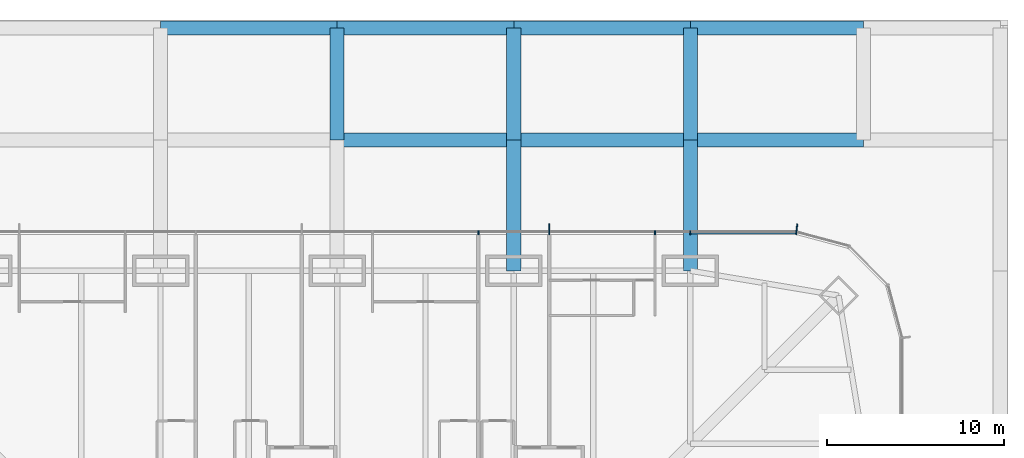
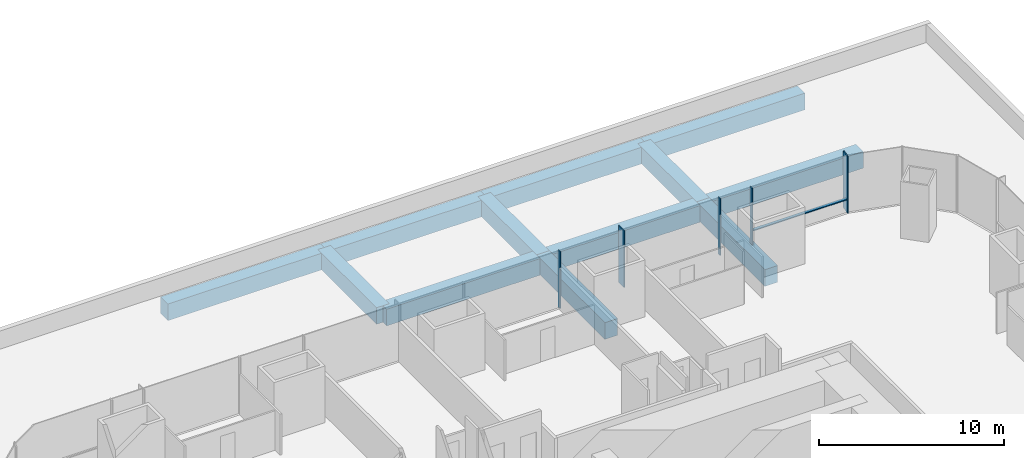
# One storey, part 11 of 20: 12 beams, 6 members, 1 element without a shape of its own.
"""IFC4 building model written with IfcOpenShell, lengths in metres."""

from ifc_helpers import new_model, si_unit, direction, frame, origin, origin_2d, place, context, subcontext, project, spatial, rectangle, extrude, material, material_profile, profile_set, type_object, element, aggregate, save


model = new_model("IFC4")

# Units and contexts
model_context = context("Model", 3, precision=1e-05, world=origin(), true_north=direction((0.0, 1.0)))
body_context = subcontext(model_context, "Body", "Model", "MODEL_VIEW")
ifc_project = project(units=[si_unit("LENGTHUNIT", "METRE"), si_unit("AREAUNIT", "SQUARE_METRE"), si_unit("VOLUMEUNIT", "CUBIC_METRE"), si_unit("PLANEANGLEUNIT", "RADIAN"), si_unit("MASSUNIT", "GRAM", prefix="KILO")], contexts=[model_context])

# Site, building, storey
site_placement = place(None, origin())
site = spatial("IfcSite", under=ifc_project, at=site_placement, CompositionType="ELEMENT")
building_placement = place(site_placement, origin())
building = spatial("IfcBuilding", under=site, at=building_placement, Name="Khuree Lantern Residences", CompositionType="ELEMENT")
storey_placement = place(building_placement, frame((0.0, 0.0, 21.0)))
storey = spatial("IfcBuildingStorey", under=building, at=storey_placement, Name="L04", CompositionType="ELEMENT", Elevation=21.0)

# Curtain wall, members
ifc_material_1 = material(Name="Bronze anodised aluminium", Category="aluminium")
curtain_wall_type = type_object("IfcCurtainWallType", Name="CW-T1 TOWER FACE CURTAIN WALL", PredefinedType="USERDEFINED", material=ifc_material_1)
curtain_wall_placement = place(storey_placement, origin())
curtain_wall = element("IfcCurtainWall", 1, at=curtain_wall_placement, inside=storey, type_object=curtain_wall_type, Name="L04 NORTH FACE CURTAIN WALL", ObjectType="Stick-built curtain wall", PredefinedType="USERDEFINED")
ifc_material_profile_1 = material_profile(ifc_material_1, rectangle(XDim=0.06494140625, YDim=0.60009765625, at=origin_2d()), Name="F1 65X600")
ifc_profile_set_1 = profile_set([ifc_material_profile_1], Name="Bronze anodised aluminium")
member_type_1 = type_object("IfcMemberType", Name="F1 BRONZE FIN MULLION TOWER 65X600", PredefinedType="MULLION", material=ifc_profile_set_1)
member_1_placement = place(storey_placement, frame((26.019775390625, 32.150146484375, 0.0), z_axis=(0.0, 0.0, 1.0), x_axis=(-0.991444852794, 0.130526257387, 0.0)))
member_1 = element("IfcMember", 2, at=member_1_placement, type_object=member_type_1, Name="L04 NORTH FACE FIN MULLION 18", PredefinedType="MULLION", context=body_context, shape_type="SweptSolid", body=[
    extrude(rectangle(XDim=0.06494140625, YDim=0.60009765625, at=origin_2d()), origin(), (0.0, 0.0, 1.0), 3.75),
])
member_2_placement = place(storey_placement, frame((12.0, 32.14990234375, 0.0), z_axis=(0.0, 0.0, 1.0), x_axis=(-1.0, 0.0, 0.0)))
member_2 = element("IfcMember", 3, at=member_2_placement, type_object=member_type_1, Name="L04 NORTH FACE FIN MULLION 21", PredefinedType="MULLION", context=body_context, shape_type="SweptSolid", body=[
    extrude(rectangle(XDim=0.06494140625, YDim=0.60009765625, at=origin_2d()), origin(), (0.0, 0.0, 1.0), 3.75),
])
ifc_material_profile_2 = material_profile(ifc_material_1, rectangle(XDim=0.06494140625, YDim=0.219970703125, at=origin_2d()), Name="M1 65X220")
ifc_profile_set_2 = profile_set([ifc_material_profile_2], Name="Bronze anodised aluminium")
member_type_2 = type_object("IfcMemberType", Name="M1 BRONZE MULLION TOWER 65X220", PredefinedType="MULLION", material=ifc_profile_set_2)
member_3_placement = place(storey_placement, frame((20.0, 31.9599609375, 0.0), z_axis=(0.0, 0.0, 1.0), x_axis=(-1.0, 0.0, 0.0)))
member_3 = element("IfcMember", 4, at=member_3_placement, type_object=member_type_2, Name="L04 NORTH FACE MULLION 19", PredefinedType="MULLION", context=body_context, shape_type="SweptSolid", body=[
    extrude(rectangle(XDim=0.06494140625, YDim=0.219970703125, at=origin_2d()), origin(), (0.0, 0.0, 1.0), 3.75),
])
member_4_placement = place(storey_placement, frame((18.0, 31.9599609375, 0.0), z_axis=(0.0, 0.0, 1.0), x_axis=(-1.0, 0.0, 0.0)))
member_4 = element("IfcMember", 5, at=member_4_placement, type_object=member_type_2, Name="L04 NORTH FACE MULLION 20", PredefinedType="MULLION", context=body_context, shape_type="SweptSolid", body=[
    extrude(rectangle(XDim=0.06494140625, YDim=0.219970703125, at=origin_2d()), origin(), (0.0, 0.0, 1.0), 3.75),
])
member_5_placement = place(storey_placement, frame((8.0, 31.9599609375, 0.0), z_axis=(0.0, 0.0, 1.0), x_axis=(-1.0, 0.0, 0.0)))
member_5 = element("IfcMember", 6, at=member_5_placement, type_object=member_type_2, Name="L04 NORTH FACE MULLION 22", PredefinedType="MULLION", context=body_context, shape_type="SweptSolid", body=[
    extrude(rectangle(XDim=0.06494140625, YDim=0.219970703125, at=origin_2d()), origin(), (0.0, 0.0, 1.0), 3.75),
])

# Beams
ifc_material_2 = material(Name="Concrete C40/50", Category="concrete")
ifc_material_profile_3 = material_profile(ifc_material_2, rectangle(XDim=0.800048828125, YDim=1.10009765625, at=origin_2d()), Name="RC 800X1100")
ifc_profile_set_3 = profile_set([ifc_material_profile_3], Name="Concrete C40/50")
beam_type = type_object("IfcBeamType", Name="RB4 PODIUM ROOF BEAM RC 800X1100", PredefinedType="BEAM", material=ifc_profile_set_3)
for number, where, z_axis, x_axis, name in (
    (7, (0.0, 37.199951171875, -0.800048828125), (1.0, 0.0, 0.0), (0.0, 1.0, 0.0), "Podium roof beam RB-15"),
    (8, (10.0, 37.199951171875, -0.800048828125), (1.0, 0.0, 0.0), (0.0, 1.0, 0.0), "Podium roof beam RB-16"),
):
    element("IfcBeam", number, at=place(storey_placement, frame(where, z_axis=z_axis, x_axis=x_axis)), inside=storey, type_object=beam_type, Name=name, PredefinedType="BEAM", context=body_context, shape_type="SweptSolid", body=[
        extrude(rectangle(XDim=0.800048828125, YDim=1.10009765625, at=origin_2d()), origin(), (0.0, 0.0, 1.0), 10.0),
    ])
beam_1_placement = place(storey_placement, frame((20.0, 37.199951171875, -0.800048828125), z_axis=(1.0, 0.0, 0.0), x_axis=(0.0, 1.0, 0.0)))
element("IfcBeam", 9, at=beam_1_placement, inside=storey, type_object=beam_type, Name="Podium roof beam RB-17", PredefinedType="BEAM", context=body_context, shape_type="SweptSolid", body=[
    extrude(rectangle(XDim=0.800048828125, YDim=1.10009765625, at=origin_2d()), origin(), (0.0, 0.0, 1.0), 9.800048828125),
])
for number, where, z_axis, x_axis, name in (
    (10, (-10.0, 43.550048828125, -0.800048828125), (1.0, 0.0, 0.0), (0.0, 1.0, 0.0), "Podium roof beam RB-22"),
    (11, (0.0, 43.550048828125, -0.800048828125), (1.0, 0.0, 0.0), (0.0, 1.0, 0.0), "Podium roof beam RB-23"),
    (12, (10.0, 43.550048828125, -0.800048828125), (1.0, 0.0, 0.0), (0.0, 1.0, 0.0), "Podium roof beam RB-24"),
):
    element("IfcBeam", number, at=place(storey_placement, frame(where, z_axis=z_axis, x_axis=x_axis)), inside=storey, type_object=beam_type, Name=name, PredefinedType="BEAM", context=body_context, shape_type="SweptSolid", body=[
        extrude(rectangle(XDim=0.800048828125, YDim=1.10009765625, at=origin_2d()), origin(), (0.0, 0.0, 1.0), 10.0),
    ])
beam_2_placement = place(storey_placement, frame((20.0, 43.550048828125, -0.800048828125), z_axis=(1.0, 0.0, 0.0), x_axis=(0.0, 1.0, 0.0)))
element("IfcBeam", 13, at=beam_2_placement, inside=storey, type_object=beam_type, Name="Podium roof beam RB-25", PredefinedType="BEAM", context=body_context, shape_type="SweptSolid", body=[
    extrude(rectangle(XDim=0.800048828125, YDim=1.10009765625, at=origin_2d()), origin(), (0.0, 0.0, 1.0), 9.800048828125),
])
beam_3_placement = place(storey_placement, frame((0.0, 37.199951171875, -0.800048828125), z_axis=(0.0, 1.0, 0.0), x_axis=(-1.0, 0.0, 0.0)))
element("IfcBeam", 14, at=beam_3_placement, inside=storey, type_object=beam_type, Name="Podium roof beam RB-41", PredefinedType="BEAM", context=body_context, shape_type="SweptSolid", body=[
    extrude(rectangle(XDim=0.800048828125, YDim=1.10009765625, at=origin_2d()), origin(), (0.0, 0.0, 1.0), 6.35009765625),
])
beam_4_placement = place(storey_placement, frame((10.0, 29.800048828125, -0.800048828125), z_axis=(0.0, 1.0, 0.0), x_axis=(-1.0, 0.0, 0.0)))
element("IfcBeam", 15, at=beam_4_placement, inside=storey, type_object=beam_type, Name="Podium roof beam RB-42", PredefinedType="BEAM", context=body_context, shape_type="SweptSolid", body=[
    extrude(rectangle(XDim=0.800048828125, YDim=1.10009765625, at=origin_2d()), origin(), (0.0, 0.0, 1.0), 7.39990234375),
])
beam_5_placement = place(storey_placement, frame((10.0, 37.199951171875, -0.800048828125), z_axis=(0.0, 1.0, 0.0), x_axis=(-1.0, 0.0, 0.0)))
element("IfcBeam", 16, at=beam_5_placement, inside=storey, type_object=beam_type, Name="Podium roof beam RB-43", PredefinedType="BEAM", context=body_context, shape_type="SweptSolid", body=[
    extrude(rectangle(XDim=0.800048828125, YDim=1.10009765625, at=origin_2d()), origin(), (0.0, 0.0, 1.0), 6.35009765625),
])
beam_6_placement = place(storey_placement, frame((20.0, 29.800048828125, -0.800048828125), z_axis=(0.0, 1.0, 0.0), x_axis=(-1.0, 0.0, 0.0)))
element("IfcBeam", 17, at=beam_6_placement, inside=storey, type_object=beam_type, Name="Podium roof beam RB-44", PredefinedType="BEAM", context=body_context, shape_type="SweptSolid", body=[
    extrude(rectangle(XDim=0.800048828125, YDim=1.10009765625, at=origin_2d()), origin(), (0.0, 0.0, 1.0), 7.39990234375),
])
beam_7_placement = place(storey_placement, frame((20.0, 37.199951171875, -0.800048828125), z_axis=(0.0, 1.0, 0.0), x_axis=(-1.0, 0.0, 0.0)))
element("IfcBeam", 18, at=beam_7_placement, inside=storey, type_object=beam_type, Name="Podium roof beam RB-45", PredefinedType="BEAM", context=body_context, shape_type="SweptSolid", body=[
    extrude(rectangle(XDim=0.800048828125, YDim=1.10009765625, at=origin_2d()), origin(), (0.0, 0.0, 1.0), 6.35009765625),
])

# Member
ifc_material_profile_4 = material_profile(ifc_material_1, rectangle(XDim=0.179931640625, YDim=0.06494140625, at=origin_2d()), Name="T1 180X65")
ifc_profile_set_4 = profile_set([ifc_material_profile_4], Name="Bronze anodised aluminium")
member_type_3 = type_object("IfcMemberType", Name="TRANSOM T1 TOWER 180X65", PredefinedType="USERDEFINED", material=ifc_profile_set_4)
member_6_placement = place(storey_placement, frame((25.951416015625, 31.969970703125, 0.89990234375), z_axis=(-1.0, 0.0, 0.0), x_axis=(0.0, -1.0, 0.0)))
member_6 = element("IfcMember", 19, at=member_6_placement, type_object=member_type_3, Name="L04 NORTH FACE TRANSOM 18.1", ObjectType="Transom", PredefinedType="USERDEFINED", context=body_context, shape_type="SweptSolid", body=[
    extrude(rectangle(XDim=0.179931640625, YDim=0.06494140625, at=origin_2d()), origin(), (0.0, 0.0, 1.0), 5.9189453125),
])

aggregate(curtain_wall, [member_1, member_3, member_4, member_2, member_5, member_6])

save(model, "model.ifc")
